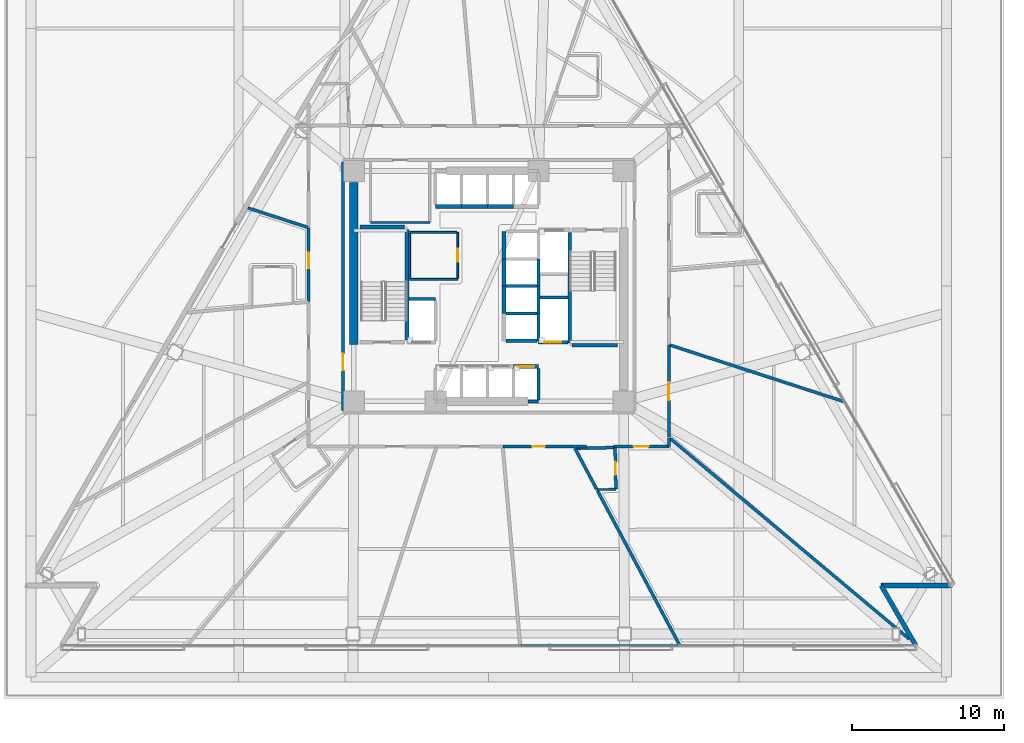
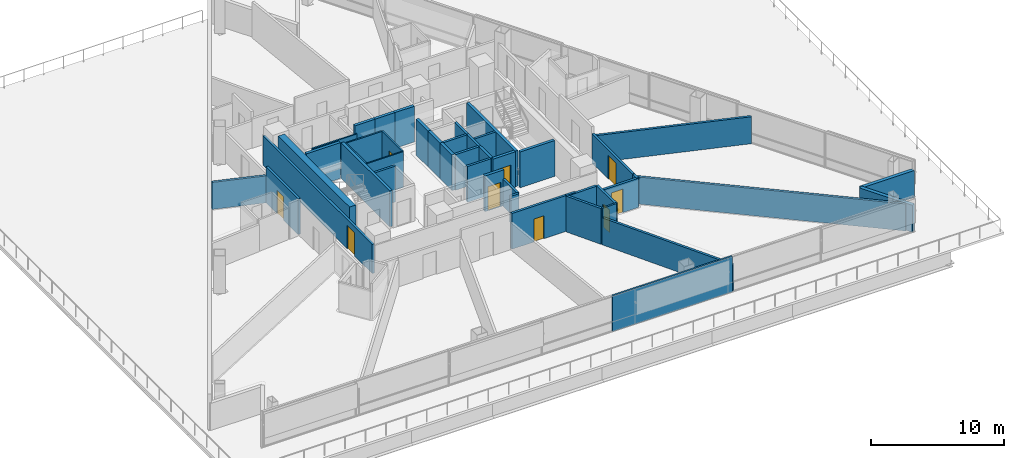
# One storey, part 10 of 19: 46 walls, 9 doors, 9 openings.
"""IFC4 building model written with IfcOpenShell, lengths in metres."""

from ifc_helpers import new_model, si_unit, direction, frame, frame_2d, origin, place, context, subcontext, project, spatial, rectangle, extrude, material, layer, layer_set, type_object, element, fill, save


model = new_model("IFC4")

# Units and contexts
model_context = context("Model", 3, precision=1e-05, world=origin(), true_north=direction((0.0, 1.0)))
body_context = subcontext(model_context, "Body", "Model", "MODEL_VIEW")
ifc_project = project(units=[si_unit("LENGTHUNIT", "METRE"), si_unit("AREAUNIT", "SQUARE_METRE"), si_unit("VOLUMEUNIT", "CUBIC_METRE"), si_unit("PLANEANGLEUNIT", "RADIAN"), si_unit("MASSUNIT", "GRAM", prefix="KILO")], contexts=[model_context])

# Site, building, storey
site_placement = place(None, origin())
site = spatial("IfcSite", under=ifc_project, at=site_placement, CompositionType="ELEMENT")
building_placement = place(site_placement, origin())
building = spatial("IfcBuilding", under=site, at=building_placement, Name="Tharavind Bronze Gate", CompositionType="ELEMENT")
storey_placement = place(building_placement, frame((0.0, 0.0, 31.800048828125)))
storey = spatial("IfcBuildingStorey", under=building, at=storey_placement, Name="L06", CompositionType="ELEMENT", Elevation=31.800048828125)

# Walls
ifc_material_1 = material(Name="Concrete C40/50", Category="concrete")
ifc_layer_1 = layer(ifc_material_1, 0.300048828125)
ifc_layer_set_1 = layer_set([ifc_layer_1], Name="Concrete C40/50")
wall_type_1 = type_object("IfcWallType", Name="EXTERIOR SPANDREL WALL 300", PredefinedType="STANDARD", material=ifc_layer_set_1)
wall_1_placement = place(storey_placement, frame((28.17578125, -23.699951171875, 0.0), z_axis=(0.0, 0.0, 1.0), x_axis=(-0.500014431597, 0.866017071537, 0.0)))
element("IfcWall", 1, at=wall_1_placement, inside=storey, type_object=wall_type_1, Name="L06 notch cheek wall 3A", PredefinedType="STANDARD", context=body_context, shape_type="SweptSolid", body=[
    extrude(rectangle(XDim=4.559814453125, YDim=0.300048828125, at=frame_2d((2.27978515625, 0.0))), origin(), (0.0, 0.0, 1.0), 2.469970703125),
])
wall_2_placement = place(storey_placement, frame((25.895751953125, -19.7509765625, 0.0), z_axis=(0.0, 0.0, 1.0), x_axis=(1.0, 0.0, 0.0)))
element("IfcWall", 2, at=wall_2_placement, inside=storey, type_object=wall_type_1, Name="L06 notch cheek wall 3B", PredefinedType="STANDARD", context=body_context, shape_type="SweptSolid", body=[
    extrude(rectangle(XDim=4.56005859375, YDim=0.300048828125, at=frame_2d((2.280029296875, 0.0))), origin(), (0.0, 0.0, 1.0), 2.469970703125),
])

# Wall, opening, door
ifc_material_2 = material(Name="Aerated Concrete Block", Category="concrete")
ifc_layer_2 = layer(ifc_material_2, 0.199951171875)
ifc_layer_set_2 = layer_set([ifc_layer_2], Name="Aerated Concrete Block")
wall_type_2 = type_object("IfcWallType", Name="FIRE RATED PARTITION 200", PredefinedType="PARTITIONING", material=ifc_layer_set_2)
wall_3_placement = place(storey_placement, frame((-9.6201171875, 8.199951171875, 0.0), z_axis=(0.0, 0.0, 1.0), x_axis=(0.0, -1.0, 0.0)))
wall_3 = element("IfcWall", 3, at=wall_3_placement, inside=storey, type_object=wall_type_2, Name="L06 west core corridor wall", PredefinedType="PARTITIONING", context=body_context, shape_type="SweptSolid", body=[
    extrude(rectangle(XDim=16.39990234375, YDim=0.199951171875, at=frame_2d((8.199951171875, 0.0))), origin(), (0.0, 0.0, 1.0), 2.669921875),
])
opening_1_placement = place(wall_3_placement, frame((12.64990234375, 0.0, 0.0)))
opening_1 = element("IfcOpeningElement", 4, at=opening_1_placement, cuts=wall_3, Name="Opening ID01", PredefinedType="OPENING", context=body_context, shape_type="SweptSolid", body=[
    extrude(rectangle(XDim=1.10009765625, YDim=2.14990234375, at=frame_2d((0.550048828125, 1.074951171875))), frame((0.0, 0.11009765625, 0.0), z_axis=(0.0, -1.0, 0.0), x_axis=(1.0, 0.0, 0.0)), (0.0, 0.0, 1.0), 0.219951171875),
])
ifc_material_3 = material(Name="Fire-Rated Steel", Category="steel")
door_type_1 = type_object("IfcDoorType", Name="STAIR CORE FIRE DOOR 1100X2150", OperationType="SINGLE_SWING_LEFT", PredefinedType="DOOR", material=ifc_material_3)
door_1_placement = place(opening_1_placement, frame((1.10009765625, 0.0, 0.0), z_axis=(0.0, 0.0, 1.0), x_axis=(-1.0, 0.0, 0.0)))
door_1 = element("IfcDoor", 5, at=door_1_placement, inside=storey, type_object=door_type_1, Name="L06 south west stair lobby fire door", OperationType="SINGLE_SWING_LEFT", OverallHeight=2.14990234375, OverallWidth=1.10009765625, PredefinedType="DOOR", context=body_context, shape_type="SweptSolid", body=[
    extrude(rectangle(XDim=1.10009765625, YDim=2.14990234375, at=frame_2d((0.550048828125, 1.074951171875))), frame((0.0, 0.02490234375, 0.0), z_axis=(0.0, -1.0, 0.0), x_axis=(1.0, 0.0, 0.0)), (0.0, 0.0, 1.0), 0.050048828125),
])
fill(opening_1, door_1)

wall_4_placement = place(storey_placement, frame((8.3388671875, -10.648681640625, 0.0), z_axis=(0.0, 0.0, 1.0), x_axis=(0.019353504647, -0.999812703389, 0.0)))
wall_4 = element("IfcWall", 6, at=wall_4_placement, inside=storey, type_object=wall_type_2, Name="L06 En-Suite Bathroom partition", PredefinedType="PARTITIONING", context=body_context, shape_type="SweptSolid", body=[
    extrude(rectangle(XDim=2.75, YDim=0.199951171875, at=frame_2d((1.375, 0.0))), origin(), (0.0, 0.0, 1.0), 3.27490234375),
])
opening_2_placement = place(wall_4_placement, frame((0.949951171875, 0.0, 0.0)))
opening_2 = element("IfcOpeningElement", 7, at=opening_2_placement, cuts=wall_4, Name="Opening ID06", PredefinedType="OPENING", context=body_context, shape_type="SweptSolid", body=[
    extrude(rectangle(XDim=0.85009765625, YDim=2.10009765625, at=frame_2d((0.425048828125, 1.050048828125))), frame((0.0, 0.11009765625, 0.0), z_axis=(0.0, -1.0, 0.0), x_axis=(1.0, 0.0, 0.0)), (0.0, 0.0, 1.0), 0.219951171875),
])
ifc_material_4 = material(Name="Moisture-Resistant Timber", Category="wood")
door_type_2 = type_object("IfcDoorType", Name="BATHROOM PRIVACY DOOR 850X2100", OperationType="SINGLE_SWING_RIGHT", PredefinedType="DOOR", material=ifc_material_4)
door_2_placement = place(opening_2_placement, origin())
door_2 = element("IfcDoor", 8, at=door_2_placement, inside=storey, type_object=door_type_2, Name="L06 En-Suite Bathroom door", OperationType="SINGLE_SWING_RIGHT", OverallHeight=2.10009765625, OverallWidth=0.85009765625, PredefinedType="DOOR", context=body_context, shape_type="SweptSolid", body=[
    extrude(rectangle(XDim=0.85009765625, YDim=2.10009765625, at=frame_2d((0.425048828125, 1.050048828125))), frame((0.0, 0.02490234375, 0.0), z_axis=(0.0, -1.0, 0.0), x_axis=(1.0, 0.0, 0.0)), (0.0, 0.0, 1.0), 0.050048828125),
])
fill(opening_2, door_2)

# Walls
wall_5_placement = place(storey_placement, frame((7.13671875, -13.422607421875, 0.0), z_axis=(0.0, 0.0, 1.0), x_axis=(-0.46943307166, 0.882968057877, 0.0)))
element("IfcWall", 9, at=wall_5_placement, inside=storey, type_object=wall_type_2, Name="L06 En-Suite Bathroom partition", PredefinedType="PARTITIONING", context=body_context, shape_type="SweptSolid", body=[
    extrude(rectangle(XDim=3.08349609375, YDim=0.199951171875, at=frame_2d((1.541748046875, 0.0))), origin(), (0.0, 0.0, 1.0), 3.27490234375),
])
wall_6_placement = place(storey_placement, frame((5.806884765625, -10.69775390625, 0.0), z_axis=(0.0, 0.0, 1.0), x_axis=(0.999811590966, 0.019410887945, 0.0)))
element("IfcWall", 10, at=wall_6_placement, inside=storey, type_object=wall_type_2, Name="L06 En-Suite Bathroom partition", PredefinedType="PARTITIONING", context=body_context, shape_type="SweptSolid", body=[
    extrude(rectangle(XDim=2.427490234375, YDim=0.199951171875, at=frame_2d((1.2138671875, 0.0))), origin(), (0.0, 0.0, 1.0), 3.27490234375),
])

# Wall, opening, door
wall_7_placement = place(storey_placement, frame((0.952880859375, -10.580078125, 0.0), z_axis=(0.0, 0.0, 1.0), x_axis=(1.0, 0.0, 0.0)))
wall_7 = element("IfcWall", 11, at=wall_7_placement, inside=storey, type_object=wall_type_2, Name="L06 Public Restrooms Block partition", PredefinedType="PARTITIONING", context=body_context, shape_type="SweptSolid", body=[
    extrude(rectangle(XDim=4.65771484375, YDim=0.199951171875, at=frame_2d((2.328857421875, 0.0))), origin(), (0.0, 0.0, 1.0), 3.27490234375),
])
opening_3_placement = place(wall_7_placement, frame((1.904052734375, 0.0, 0.0)))
opening_3 = element("IfcOpeningElement", 12, at=opening_3_placement, cuts=wall_7, Name="Opening ID06", PredefinedType="OPENING", context=body_context, shape_type="SweptSolid", body=[
    extrude(rectangle(XDim=0.85009765625, YDim=2.10009765625, at=frame_2d((0.425048828125, 1.050048828125))), frame((0.0, 0.11009765625, 0.0), z_axis=(0.0, -1.0, 0.0), x_axis=(1.0, 0.0, 0.0)), (0.0, 0.0, 1.0), 0.219951171875),
])
door_3_placement = place(opening_3_placement, origin())
door_3 = element("IfcDoor", 13, at=door_3_placement, inside=storey, type_object=door_type_2, Name="L06 Public Restrooms Block door", OperationType="SINGLE_SWING_RIGHT", OverallHeight=2.10009765625, OverallWidth=0.85009765625, PredefinedType="DOOR", context=body_context, shape_type="SweptSolid", body=[
    extrude(rectangle(XDim=0.85009765625, YDim=2.10009765625, at=frame_2d((0.425048828125, 1.050048828125))), frame((0.0, 0.02490234375, 0.0), z_axis=(0.0, -1.0, 0.0), x_axis=(1.0, 0.0, 0.0)), (0.0, 0.0, 1.0), 0.050048828125),
])
fill(opening_3, door_3)

# Walls
wall_8_placement = place(storey_placement, frame((7.178955078125, -13.501708984375, 0.0), z_axis=(0.0, 0.0, 1.0), x_axis=(0.469478708188, -0.882943793544, 0.0)))
element("IfcWall", 14, at=wall_8_placement, inside=storey, type_object=wall_type_2, Name="L06 Public Restrooms Block partition", PredefinedType="PARTITIONING", context=body_context, shape_type="SweptSolid", body=[
    extrude(rectangle(XDim=11.55029296875, YDim=0.199951171875, at=frame_2d((5.775146484375, 0.0))), origin(), (0.0, 0.0, 1.0), 2.469970703125),
])
wall_9_placement = place(storey_placement, frame((-11.91259765625, 3.87060546875, 0.0), z_axis=(0.0, 0.0, 1.0), x_axis=(-0.951048216474, 0.309042537431, 0.0)))
element("IfcWall", 15, at=wall_9_placement, inside=storey, type_object=wall_type_2, Name="L06 Hotel Guest Lounge partition", PredefinedType="PARTITIONING", context=body_context, shape_type="SweptSolid", body=[
    extrude(rectangle(XDim=4.1845703125, YDim=0.199951171875, at=frame_2d((2.09228515625, 0.0))), origin(), (0.0, 0.0, 1.0), 2.469970703125),
])

# Wall, opening, door
wall_10_placement = place(storey_placement, frame((-11.8798828125, 3.841796875, 0.0), z_axis=(0.0, 0.0, 1.0), x_axis=(0.0, -1.0, 0.0)))
wall_10 = element("IfcWall", 16, at=wall_10_placement, inside=storey, type_object=wall_type_2, Name="L06 Hotel Deluxe Room partition", PredefinedType="PARTITIONING", context=body_context, shape_type="SweptSolid", body=[
    extrude(rectangle(XDim=4.8583984375, YDim=0.199951171875, at=frame_2d((2.42919921875, 0.0))), origin(), (0.0, 0.0, 1.0), 3.27490234375),
])
opening_4_placement = place(wall_10_placement, frame((1.64892578125, 0.0, 0.0)))
opening_4 = element("IfcOpeningElement", 17, at=opening_4_placement, cuts=wall_10, Name="Opening ID03", PredefinedType="OPENING", context=body_context, shape_type="SweptSolid", body=[
    extrude(rectangle(XDim=1.0, YDim=2.14990234375, at=frame_2d((0.5, 1.074951171875))), frame((0.0, 0.11009765625, 0.0), z_axis=(0.0, -1.0, 0.0), x_axis=(1.0, 0.0, 0.0)), (0.0, 0.0, 1.0), 0.219951171875),
])
ifc_material_5 = material(Name="Solid Timber Veneer", Category="wood")
door_type_3 = type_object("IfcDoorType", Name="HOTEL SUITE ENTRANCE DOOR 1000X2150", OperationType="SINGLE_SWING_LEFT", PredefinedType="DOOR", material=ifc_material_5)
door_4_placement = place(opening_4_placement, origin())
door_4 = element("IfcDoor", 18, at=door_4_placement, inside=storey, type_object=door_type_3, Name="L06 Hotel Deluxe Room door", OperationType="SINGLE_SWING_LEFT", OverallHeight=2.14990234375, OverallWidth=1.0, PredefinedType="DOOR", context=body_context, shape_type="SweptSolid", body=[
    extrude(rectangle(XDim=1.0, YDim=2.14990234375, at=frame_2d((0.5, 1.074951171875))), frame((0.0, 0.02490234375, 0.0), z_axis=(0.0, -1.0, 0.0), x_axis=(1.0, 0.0, 0.0)), (0.0, 0.0, 1.0), 0.050048828125),
])
fill(opening_4, door_4)

# Walls
wall_11_placement = place(storey_placement, frame((11.8798828125, -10.579345703125, 0.0), z_axis=(0.0, 0.0, 1.0), x_axis=(0.0, 1.0, 0.0)))
element("IfcWall", 19, at=wall_11_placement, inside=storey, type_object=wall_type_2, Name="L06 Deluxe Hotel Suite partition", PredefinedType="PARTITIONING", context=body_context, shape_type="SweptSolid", body=[
    extrude(rectangle(XDim=0.55712890625, YDim=0.199951171875, at=frame_2d((0.278564453125, 0.0))), origin(), (0.0, 0.0, 1.0), 2.669921875),
])
wall_12_placement = place(storey_placement, frame((11.985107421875, -10.056640625, 0.0), z_axis=(0.0, 0.0, 1.0), x_axis=(0.766043557541, -0.642788665076, 0.0)))
element("IfcWall", 20, at=wall_12_placement, inside=storey, type_object=wall_type_2, Name="L06 Deluxe Hotel Suite partition", PredefinedType="PARTITIONING", context=body_context, shape_type="SweptSolid", body=[
    extrude(rectangle(XDim=20.59814453125, YDim=0.199951171875, at=frame_2d((10.299072265625, 0.0))), origin(), (0.0, 0.0, 1.0), 2.469970703125),
])
wall_13_placement = place(storey_placement, frame((5.6669921875, -10.580078125, 0.0), z_axis=(0.0, 0.0, 1.0), x_axis=(1.0, 0.0, 0.0)))
element("IfcWall", 21, at=wall_13_placement, inside=storey, type_object=wall_type_2, Name="L06 Deluxe Hotel Suite partition", PredefinedType="PARTITIONING", context=body_context, shape_type="SweptSolid", body=[
    extrude(rectangle(XDim=0.793212890625, YDim=0.199951171875, at=frame_2d((0.396484375, 0.0))), origin(), (0.0, 0.0, 1.0), 3.27490234375),
])

# Wall, opening, door
wall_14_placement = place(storey_placement, frame((8.232421875, -10.580078125, 0.0), z_axis=(0.0, 0.0, 1.0), x_axis=(1.0, 0.0, 0.0)))
wall_14 = element("IfcWall", 22, at=wall_14_placement, inside=storey, type_object=wall_type_2, Name="L06 Deluxe Hotel Suite partition", PredefinedType="PARTITIONING", context=body_context, shape_type="SweptSolid", body=[
    extrude(rectangle(XDim=3.64697265625, YDim=0.199951171875, at=frame_2d((1.823486328125, 0.0))), origin(), (0.0, 0.0, 1.0), 2.669921875),
])
opening_5_placement = place(wall_14_placement, frame((1.323974609375, 0.0, 0.0)))
opening_5 = element("IfcOpeningElement", 23, at=opening_5_placement, cuts=wall_14, Name="Opening ID03", PredefinedType="OPENING", context=body_context, shape_type="SweptSolid", body=[
    extrude(rectangle(XDim=1.0, YDim=2.14990234375, at=frame_2d((0.5, 1.074951171875))), frame((0.0, 0.11009765625, 0.0), z_axis=(0.0, -1.0, 0.0), x_axis=(1.0, 0.0, 0.0)), (0.0, 0.0, 1.0), 0.219951171875),
])
door_5_placement = place(opening_5_placement, origin())
door_5 = element("IfcDoor", 24, at=door_5_placement, inside=storey, type_object=door_type_3, Name="L06 Deluxe Hotel Suite door", OperationType="SINGLE_SWING_LEFT", OverallHeight=2.14990234375, OverallWidth=1.0, PredefinedType="DOOR", context=body_context, shape_type="SweptSolid", body=[
    extrude(rectangle(XDim=1.0, YDim=2.14990234375, at=frame_2d((0.5, 1.074951171875))), frame((0.0, 0.02490234375, 0.0), z_axis=(0.0, -1.0, 0.0), x_axis=(1.0, 0.0, 0.0)), (0.0, 0.0, 1.0), 0.050048828125),
])
fill(opening_5, door_5)

wall_15_placement = place(storey_placement, frame((11.8798828125, -9.956787109375, 0.0), z_axis=(0.0, 0.0, 1.0), x_axis=(0.0, 1.0, 0.0)))
wall_15 = element("IfcWall", 25, at=wall_15_placement, inside=storey, type_object=wall_type_2, Name="L06 Hotel Guest Lounge partition", PredefinedType="PARTITIONING", context=body_context, shape_type="SweptSolid", body=[
    extrude(rectangle(XDim=6.062255859375, YDim=0.199951171875, at=frame_2d((3.03125, 0.0))), origin(), (0.0, 0.0, 1.0), 2.669921875),
])
opening_6_placement = place(wall_15_placement, frame((2.430908203125, 0.0, 0.0)))
opening_6 = element("IfcOpeningElement", 26, at=opening_6_placement, cuts=wall_15, Name="Opening ID05", PredefinedType="OPENING", context=body_context, shape_type="SweptSolid", body=[
    extrude(rectangle(XDim=1.199951171875, YDim=2.14990234375, at=frame_2d((0.60009765625, 1.074951171875))), frame((0.0, 0.11009765625, 0.0), z_axis=(0.0, -1.0, 0.0), x_axis=(1.0, 0.0, 0.0)), (0.0, 0.0, 1.0), 0.219951171875),
])
ifc_material_6 = material(Name="Acoustic Laminated Glass", Category="glass")
door_type_4 = type_object("IfcDoorType", Name="MEETING ROOM GLAZED DOOR 1200X2150", OperationType="SINGLE_SWING_LEFT", PredefinedType="DOOR", material=ifc_material_6)
door_6_placement = place(opening_6_placement, origin())
door_6 = element("IfcDoor", 27, at=door_6_placement, inside=storey, type_object=door_type_4, Name="L06 Hotel Guest Lounge door", OperationType="SINGLE_SWING_LEFT", OverallHeight=2.14990234375, OverallWidth=1.199951171875, PredefinedType="DOOR", context=body_context, shape_type="SweptSolid", body=[
    extrude(rectangle(XDim=1.199951171875, YDim=2.14990234375, at=frame_2d((0.60009765625, 1.074951171875))), frame((0.0, 0.02490234375, 0.0), z_axis=(0.0, -1.0, 0.0), x_axis=(1.0, 0.0, 0.0)), (0.0, 0.0, 1.0), 0.050048828125),
])
fill(opening_6, door_6)

# Walls
wall_16_placement = place(storey_placement, frame((11.91259765625, -3.87060546875, 0.0), z_axis=(0.0, 0.0, 1.0), x_axis=(0.95105241731, -0.30902960947, 0.0)))
element("IfcWall", 28, at=wall_16_placement, inside=storey, type_object=wall_type_2, Name="L06 Hotel Guest Lounge partition", PredefinedType="PARTITIONING", context=body_context, shape_type="SweptSolid", body=[
    extrude(rectangle(XDim=12.123779296875, YDim=0.199951171875, at=frame_2d((6.06201171875, 0.0))), origin(), (0.0, 0.0, 1.0), 2.469970703125),
])
ifc_material_7 = material(Name="Metal Stud Gypsum Partition", Category="gypsum")
ifc_layer_3 = layer(ifc_material_7, 0.1201171875)
ifc_layer_set_3 = layer_set([ifc_layer_3], Name="Metal Stud Gypsum Partition")
wall_type_3 = type_object("IfcWallType", Name="INTERIOR PARTITION WALL 120", PredefinedType="PARTITIONING", material=ifc_layer_set_3)
wall_17_placement = place(storey_placement, frame((-5.219970703125, 0.449951171875, 0.0), z_axis=(0.0, 0.0, 1.0), x_axis=(1.0, 0.0, 0.0)))
element("IfcWall", 29, at=wall_17_placement, inside=storey, type_object=wall_type_3, Name="L06 Electrical & Telecom Store partition 1", PredefinedType="PARTITIONING", context=body_context, shape_type="SweptSolid", body=[
    extrude(rectangle(XDim=3.169921875, YDim=0.1201171875, at=frame_2d((1.5849609375, 0.0))), origin(), (0.0, 0.0, 1.0), 3.27490234375),
])

# Wall, opening, door
wall_18_placement = place(storey_placement, frame((-2.050048828125, 0.514892578125, 0.0), z_axis=(0.0, 0.0, 1.0), x_axis=(0.0, 1.0, 0.0)))
wall_18 = element("IfcWall", 30, at=wall_18_placement, inside=storey, type_object=wall_type_3, Name="L06 Electrical & Telecom Store partition 2", PredefinedType="PARTITIONING", context=body_context, shape_type="SweptSolid", body=[
    extrude(rectangle(XDim=3.03515625, YDim=0.1201171875, at=frame_2d((1.517578125, 0.0))), origin(), (0.0, 0.0, 1.0), 3.27490234375),
])
opening_7_placement = place(wall_18_placement, frame((1.092041015625, 0.0, 0.0)))
opening_7 = element("IfcOpeningElement", 31, at=opening_7_placement, cuts=wall_18, Name="Opening ID06", PredefinedType="OPENING", context=body_context, shape_type="SweptSolid", body=[
    extrude(rectangle(XDim=0.85009765625, YDim=2.10009765625, at=frame_2d((0.425048828125, 1.050048828125))), frame((0.0, 0.07005859375, 0.0), z_axis=(0.0, -1.0, 0.0), x_axis=(1.0, 0.0, 0.0)), (0.0, 0.0, 1.0), 0.1401171875),
])
door_7_placement = place(opening_7_placement, frame((0.85009765625, 0.0, 0.0), z_axis=(0.0, 0.0, 1.0), x_axis=(-1.0, 0.0, 0.0)))
door_7 = element("IfcDoor", 32, at=door_7_placement, inside=storey, type_object=door_type_2, Name="L06 Electrical & Telecom Store door", OperationType="SINGLE_SWING_RIGHT", OverallHeight=2.10009765625, OverallWidth=0.85009765625, PredefinedType="DOOR", context=body_context, shape_type="SweptSolid", body=[
    extrude(rectangle(XDim=0.85009765625, YDim=2.10009765625, at=frame_2d((0.425048828125, 1.050048828125))), frame((0.0, 0.02490234375, 0.0), z_axis=(0.0, -1.0, 0.0), x_axis=(1.0, 0.0, 0.0)), (0.0, 0.0, 1.0), 0.050048828125),
])
fill(opening_7, door_7)

# Walls
wall_19_placement = place(storey_placement, frame((-2.114990234375, 3.550048828125, 0.0), z_axis=(0.0, 0.0, 1.0), x_axis=(-1.0, 0.0, 0.0)))
element("IfcWall", 33, at=wall_19_placement, inside=storey, type_object=wall_type_3, Name="L06 Electrical & Telecom Store partition 3", PredefinedType="PARTITIONING", context=body_context, shape_type="SweptSolid", body=[
    extrude(rectangle(XDim=3.10498046875, YDim=0.1201171875, at=frame_2d((1.552490234375, 0.0))), origin(), (0.0, 0.0, 1.0), 3.27490234375),
])
wall_20_placement = place(storey_placement, frame((-5.219970703125, 3.485107421875, 0.0), z_axis=(0.0, 0.0, 1.0), x_axis=(0.0, -1.0, 0.0)))
element("IfcWall", 34, at=wall_20_placement, inside=storey, type_object=wall_type_3, Name="L06 Electrical & Telecom Store partition 4", PredefinedType="PARTITIONING", context=body_context, shape_type="SweptSolid", body=[
    extrude(rectangle(XDim=2.97021484375, YDim=0.1201171875, at=frame_2d((1.485107421875, 0.0))), origin(), (0.0, 0.0, 1.0), 3.27490234375),
])
wall_21_placement = place(storey_placement, frame((-7.800048828125, 4.199951171875, 0.0), z_axis=(0.0, 0.0, 1.0), x_axis=(1.0, 0.0, 0.0)))
element("IfcWall", 35, at=wall_21_placement, inside=storey, type_object=wall_type_3, Name="L06 Electrical Switch Room partition 1", PredefinedType="PARTITIONING", context=body_context, shape_type="SweptSolid", body=[
    extrude(rectangle(XDim=3.900146484375, YDim=0.1201171875, at=frame_2d((1.9501953125, 0.0))), origin(), (0.0, 0.0, 1.0), 3.27490234375),
])
ifc_material_8 = material(Name="Twin Stud Acoustic Gypsum", Category="gypsum")
ifc_layer_4 = layer(ifc_material_8, 0.14990234375)
ifc_layer_set_4 = layer_set([ifc_layer_4], Name="Twin Stud Acoustic Gypsum")
wall_type_4 = type_object("IfcWallType", Name="INTERIOR PARTITION WALL 150", PredefinedType="PARTITIONING", material=ifc_layer_set_4)
wall_22_placement = place(storey_placement, frame((8.39208984375, -13.398193359375, 0.0), z_axis=(0.0, 0.0, 1.0), x_axis=(-0.999810947385, -0.01944400909, 0.0)))
element("IfcWall", 36, at=wall_22_placement, inside=storey, type_object=wall_type_4, Name="L06 En-Suite Bathroom partition", PredefinedType="PARTITIONING", context=body_context, shape_type="SweptSolid", body=[
    extrude(rectangle(XDim=1.255615234375, YDim=0.14990234375, at=frame_2d((0.6279296875, 0.0))), origin(), (0.0, 0.0, 1.0), 3.27490234375),
])
wall_23_placement = place(storey_placement, frame((12.482666015625, -23.699951171875, 0.0), z_axis=(0.0, 0.0, 1.0), x_axis=(-1.0, 0.0, 0.0)))
element("IfcWall", 37, at=wall_23_placement, inside=storey, type_object=wall_type_4, Name="L06 Public Restrooms Block partition", PredefinedType="PARTITIONING", context=body_context, shape_type="SweptSolid", body=[
    extrude(rectangle(XDim=10.38623046875, YDim=0.14990234375, at=frame_2d((5.193115234375, 0.0))), origin(), (0.0, 0.0, 1.0), 3.27490234375),
])
ifc_material_9 = material(Name="Concrete C50/60", Category="concrete")
ifc_layer_5 = layer(ifc_material_9, 0.25)
ifc_layer_set_5 = layer_set([ifc_layer_5], Name="Concrete C50/60")
wall_type_5 = type_object("IfcWallType", Name="RC CORE SHEAR WALL 250", PredefinedType="SHEAR", material=ifc_layer_set_5)
wall_24_placement = place(storey_placement, frame((-5.39990234375, -3.550048828125, 0.0), z_axis=(0.0, 0.0, 1.0), x_axis=(0.0, 1.0, 0.0)))
element("IfcWall", 38, at=wall_24_placement, inside=storey, type_object=wall_type_5, Name="L06 ST1 shaft east wall", PredefinedType="SHEAR", context=body_context, shape_type="SweptSolid", body=[
    extrude(rectangle(XDim=7.300048828125, YDim=0.25, at=frame_2d((3.64990234375, 0.0))), origin(), (0.0, 0.0, 1.0), 3.27490234375),
])
wall_25_placement = place(storey_placement, frame((-8.5, 3.89990234375, 0.0), z_axis=(0.0, 0.0, 1.0), x_axis=(1.0, 0.0, 0.0)))
element("IfcWall", 39, at=wall_25_placement, inside=storey, type_object=wall_type_5, Name="L06 ST1 shaft north wall", PredefinedType="SHEAR", context=body_context, shape_type="SweptSolid", body=[
    extrude(rectangle(XDim=2.949951171875, YDim=0.25, at=frame_2d((1.47509765625, 0.0))), origin(), (0.0, 0.0, 1.0), 3.27490234375),
])
wall_26_placement = place(storey_placement, frame((5.35009765625, -3.75, 0.0), z_axis=(0.0, 0.0, 1.0), x_axis=(0.0, 1.0, 0.0)))
element("IfcWall", 40, at=wall_26_placement, inside=storey, type_object=wall_type_5, Name="L06 ST2 shaft west wall", PredefinedType="SHEAR", context=body_context, shape_type="SweptSolid", body=[
    extrude(rectangle(XDim=7.300048828125, YDim=0.25, at=frame_2d((3.64990234375, 0.0))), origin(), (0.0, 0.0, 1.0), 3.27490234375),
])
wall_27_placement = place(storey_placement, frame((5.5, -3.89990234375, 0.0), z_axis=(0.0, 0.0, 1.0), x_axis=(1.0, 0.0, 0.0)))
element("IfcWall", 41, at=wall_27_placement, inside=storey, type_object=wall_type_5, Name="L06 ST2 shaft south wall", PredefinedType="SHEAR", context=body_context, shape_type="SweptSolid", body=[
    extrude(rectangle(XDim=3.0, YDim=0.25, at=frame_2d((1.5, 0.0))), origin(), (0.0, 0.0, 1.0), 3.27490234375),
])

# Wall, opening, door
wall_28_placement = place(storey_placement, frame((1.637451171875, -5.300048828125, 0.0), z_axis=(0.0, 0.0, 1.0), x_axis=(1.0, 0.0, 0.0)))
wall_28 = element("IfcWall", 42, at=wall_28_placement, inside=storey, type_object=wall_type_5, Name="L06 lift PL4 shaft front wall", PredefinedType="SHEAR", context=body_context, shape_type="SweptSolid", body=[
    extrude(rectangle(XDim=1.642578125, YDim=0.25, at=frame_2d((0.8212890625, 0.0))), origin(), (0.0, 0.0, 1.0), 3.27490234375),
])
opening_8_placement = place(wall_28_placement, frame((0.27099609375, 0.0, 0.0)))
opening_8 = element("IfcOpeningElement", 43, at=opening_8_placement, cuts=wall_28, Name="Opening LD01", PredefinedType="OPENING", context=body_context, shape_type="SweptSolid", body=[
    extrude(rectangle(XDim=1.10009765625, YDim=2.199951171875, at=frame_2d((0.550048828125, 1.10009765625))), frame((0.0, 0.135, 0.0), z_axis=(0.0, -1.0, 0.0), x_axis=(1.0, 0.0, 0.0)), (0.0, 0.0, 1.0), 0.27),
])
ifc_material_10 = material(Name="Brushed Bronze Stainless Steel", Category="steel")
door_type_5 = type_object("IfcDoorType", Name="LIFT LANDING SLIDING DOOR 1100X2200", OperationType="SLIDING_TO_LEFT", PredefinedType="DOOR", material=ifc_material_10)
door_8_placement = place(opening_8_placement, origin())
door_8 = element("IfcDoor", 44, at=door_8_placement, inside=storey, type_object=door_type_5, Name="L06 lift PL4 sliding landing door", OperationType="SLIDING_TO_LEFT", OverallHeight=2.199951171875, OverallWidth=1.10009765625, PredefinedType="DOOR", context=body_context, shape_type="SweptSolid", body=[
    extrude(rectangle(XDim=1.10009765625, YDim=2.199951171875, at=frame_2d((0.550048828125, 1.10009765625))), frame((0.0, 0.02490234375, 0.0), z_axis=(0.0, -1.0, 0.0), x_axis=(1.0, 0.0, 0.0)), (0.0, 0.0, 1.0), 0.050048828125),
])
fill(opening_8, door_8)

# Walls
wall_29_placement = place(storey_placement, frame((-3.5, 5.25, 0.0), z_axis=(0.0, 0.0, 1.0), x_axis=(1.0, 0.0, 0.0)))
element("IfcWall", 45, at=wall_29_placement, inside=storey, type_object=wall_type_5, Name="L06 lift PL5 shaft front wall", PredefinedType="SHEAR", context=body_context, shape_type="SweptSolid", body=[
    extrude(rectangle(XDim=1.71240234375, YDim=0.25, at=frame_2d((0.856201171875, 0.0))), origin(), (0.0, 0.0, 1.0), 3.27490234375),
])
wall_30_placement = place(storey_placement, frame((-1.78759765625, 5.25, 0.0), z_axis=(0.0, 0.0, 1.0), x_axis=(1.0, 0.0, 0.0)))
element("IfcWall", 46, at=wall_30_placement, inside=storey, type_object=wall_type_5, Name="L06 lift PL6 shaft front wall", PredefinedType="SHEAR", context=body_context, shape_type="SweptSolid", body=[
    extrude(rectangle(XDim=1.712646484375, YDim=0.25, at=frame_2d((0.8564453125, 0.0))), origin(), (0.0, 0.0, 1.0), 3.27490234375),
])
wall_31_placement = place(storey_placement, frame((-0.074951171875, 5.25, 0.0), z_axis=(0.0, 0.0, 1.0), x_axis=(1.0, 0.0, 0.0)))
element("IfcWall", 47, at=wall_31_placement, inside=storey, type_object=wall_type_5, Name="L06 lift PL7 shaft front wall", PredefinedType="SHEAR", context=body_context, shape_type="SweptSolid", body=[
    extrude(rectangle(XDim=1.71240234375, YDim=0.25, at=frame_2d((0.856201171875, 0.0))), origin(), (0.0, 0.0, 1.0), 3.27490234375),
])
for number, where, z_axis, x_axis, name in (
    (48, (1.0, -1.800048828125, 0.0), (0.0, 0.0, 1.0), (0.0, 1.0, 0.0), "L06 lift PL10 shaft front wall"),
    (49, (1.0, 0.0, 0.0), (0.0, 0.0, 1.0), (0.0, 1.0, 0.0), "L06 lift PL11 shaft front wall"),
    (50, (1.0, 1.800048828125, 0.0), (0.0, 0.0, 1.0), (0.0, 1.0, 0.0), "L06 lift PL12 shaft front wall"),
):
    element("IfcWall", number, at=place(storey_placement, frame(where, z_axis=z_axis, x_axis=x_axis)), inside=storey, type_object=wall_type_5, Name=name, PredefinedType="SHEAR", context=body_context, shape_type="SweptSolid", body=[
        extrude(rectangle(XDim=1.800048828125, YDim=0.25, at=frame_2d((0.89990234375, 0.0))), origin(), (0.0, 0.0, 1.0), 3.27490234375),
    ])

# Wall, opening, door
wall_32_placement = place(storey_placement, frame((3.280029296875, -3.699951171875, 0.0), z_axis=(0.0, 0.0, 1.0), x_axis=(1.0, 0.0, 0.0)))
wall_32 = element("IfcWall", 51, at=wall_32_placement, inside=storey, type_object=wall_type_5, Name="L06 lift SVL1 shaft front wall", PredefinedType="SHEAR", context=body_context, shape_type="SweptSolid", body=[
    extrude(rectangle(XDim=1.93994140625, YDim=0.25, at=frame_2d((0.969970703125, 0.0))), origin(), (0.0, 0.0, 1.0), 3.27490234375),
])
opening_9_placement = place(wall_32_placement, frame((0.419921875, 0.0, 0.0)))
opening_9 = element("IfcOpeningElement", 52, at=opening_9_placement, cuts=wall_32, Name="Opening LD01", PredefinedType="OPENING", context=body_context, shape_type="SweptSolid", body=[
    extrude(rectangle(XDim=1.10009765625, YDim=2.199951171875, at=frame_2d((0.550048828125, 1.10009765625))), frame((0.0, 0.135, 0.0), z_axis=(0.0, -1.0, 0.0), x_axis=(1.0, 0.0, 0.0)), (0.0, 0.0, 1.0), 0.27),
])
door_9_placement = place(opening_9_placement, origin())
door_9 = element("IfcDoor", 53, at=door_9_placement, inside=storey, type_object=door_type_5, Name="L06 lift SVL1 sliding landing door", OperationType="SLIDING_TO_LEFT", OverallHeight=2.199951171875, OverallWidth=1.10009765625, PredefinedType="DOOR", context=body_context, shape_type="SweptSolid", body=[
    extrude(rectangle(XDim=1.10009765625, YDim=2.199951171875, at=frame_2d((0.550048828125, 1.10009765625))), frame((0.0, 0.02490234375, 0.0), z_axis=(0.0, -1.0, 0.0), x_axis=(1.0, 0.0, 0.0)), (0.0, 0.0, 1.0), 0.050048828125),
])
fill(opening_9, door_9)

# Walls
ifc_material_11 = material(Name="Concrete C60/75", Category="concrete")
ifc_layer_6 = layer(ifc_material_11, 0.550048828125)
ifc_layer_set_6 = layer_set([ifc_layer_6], Name="Concrete C60/75")
wall_type_6 = type_object("IfcWallType", Name="RC CORE SHEAR WALL 550", PredefinedType="SHEAR", material=ifc_layer_set_6)
wall_33_placement = place(storey_placement, frame((-8.89990234375, -3.85009765625, 0.0), z_axis=(0.0, 0.0, 1.0), x_axis=(0.0, 1.0, 0.0)))
element("IfcWall", 54, at=wall_33_placement, inside=storey, type_object=wall_type_6, Name="L06 west core shear wall", PredefinedType="SHEAR", context=body_context, shape_type="SweptSolid", body=[
    extrude(rectangle(XDim=10.7001953125, YDim=0.550048828125, at=frame_2d((5.35009765625, 0.0))), origin(), (0.0, 0.0, 1.0), 3.27490234375),
])
ifc_layer_7 = layer(ifc_material_1, 0.199951171875)
ifc_layer_set_7 = layer_set([ifc_layer_7], Name="Concrete C40/50")
wall_type_7 = type_object("IfcWallType", Name="SHAFT ENCLOSURE WALL 200", PredefinedType="PARTITIONING", material=ifc_layer_set_7)
wall_34_placement = place(storey_placement, frame((2.580078125, -7.60009765625, 0.0), z_axis=(0.0, 0.0, 1.0), x_axis=(1.0, 0.0, 0.0)))
element("IfcWall", 55, at=wall_34_placement, inside=storey, type_object=wall_type_7, Name="L06 lift PL4 shaft S enclosure wall", PredefinedType="PARTITIONING", context=body_context, shape_type="SweptSolid", body=[
    extrude(rectangle(XDim=0.699951171875, YDim=0.199951171875, at=frame_2d((0.35009765625, 0.0))), origin(), (0.0, 0.0, 1.0), 2.469970703125),
])
wall_35_placement = place(storey_placement, frame((3.280029296875, -7.4951171875, 0.0), z_axis=(0.0, 0.0, 1.0), x_axis=(0.0, 1.0, 0.0)))
element("IfcWall", 56, at=wall_35_placement, inside=storey, type_object=wall_type_7, Name="L06 lift PL4 shaft E enclosure wall", PredefinedType="PARTITIONING", context=body_context, shape_type="SweptSolid", body=[
    extrude(rectangle(XDim=2.065185546875, YDim=0.199951171875, at=frame_2d((1.03271484375, 0.0))), origin(), (0.0, 0.0, 1.0), 2.469970703125),
])
wall_36_placement = place(storey_placement, frame((3.280029296875, -3.60009765625, 0.0), z_axis=(0.0, 0.0, 1.0), x_axis=(0.0, 1.0, 0.0)))
element("IfcWall", 57, at=wall_36_placement, inside=storey, type_object=wall_type_7, Name="L06 lift PL9 shaft E enclosure wall", PredefinedType="PARTITIONING", context=body_context, shape_type="SweptSolid", body=[
    extrude(rectangle(XDim=1.800048828125, YDim=0.199951171875, at=frame_2d((0.89990234375, 0.0))), origin(), (0.0, 0.0, 1.0), 3.27490234375),
])
for number, where, z_axis, x_axis, name in (
    (58, (1.1298828125, -3.60009765625, 0.0), (0.0, 0.0, 1.0), (1.0, 0.0, 0.0), "L06 lift PL9 shaft S enclosure wall"),
    (59, (1.1298828125, -1.800048828125, 0.0), (0.0, 0.0, 1.0), (1.0, 0.0, 0.0), "L06 lift PL9 shaft N enclosure wall"),
):
    element("IfcWall", number, at=place(storey_placement, frame(where, z_axis=z_axis, x_axis=x_axis)), inside=storey, type_object=wall_type_7, Name=name, PredefinedType="PARTITIONING", context=body_context, shape_type="SweptSolid", body=[
        extrude(rectangle(XDim=2.045166015625, YDim=0.199951171875, at=frame_2d((1.0224609375, 0.0))), origin(), (0.0, 0.0, 1.0), 3.27490234375),
    ])
wall_37_placement = place(storey_placement, frame((3.280029296875, -1.800048828125, 0.0), z_axis=(0.0, 0.0, 1.0), x_axis=(0.0, 1.0, 0.0)))
element("IfcWall", 60, at=wall_37_placement, inside=storey, type_object=wall_type_7, Name="L06 lift PL10 shaft E enclosure wall", PredefinedType="PARTITIONING", context=body_context, shape_type="SweptSolid", body=[
    extrude(rectangle(XDim=1.800048828125, YDim=0.199951171875, at=frame_2d((0.89990234375, 0.0))), origin(), (0.0, 0.0, 1.0), 3.27490234375),
])
wall_38_placement = place(storey_placement, frame((1.1298828125, 0.0, 0.0), z_axis=(0.0, 0.0, 1.0), x_axis=(1.0, 0.0, 0.0)))
element("IfcWall", 61, at=wall_38_placement, inside=storey, type_object=wall_type_7, Name="L06 lift PL10 shaft N enclosure wall", PredefinedType="PARTITIONING", context=body_context, shape_type="SweptSolid", body=[
    extrude(rectangle(XDim=2.045166015625, YDim=0.199951171875, at=frame_2d((1.0224609375, 0.0))), origin(), (0.0, 0.0, 1.0), 3.27490234375),
])
wall_39_placement = place(storey_placement, frame((3.280029296875, 0.0, 0.0), z_axis=(0.0, 0.0, 1.0), x_axis=(0.0, 1.0, 0.0)))
element("IfcWall", 62, at=wall_39_placement, inside=storey, type_object=wall_type_7, Name="L06 lift PL11 shaft E enclosure wall", PredefinedType="PARTITIONING", context=body_context, shape_type="SweptSolid", body=[
    extrude(rectangle(XDim=1.800048828125, YDim=0.199951171875, at=frame_2d((0.89990234375, 0.0))), origin(), (0.0, 0.0, 1.0), 3.27490234375),
])
wall_40_placement = place(storey_placement, frame((-5.27001953125, -0.85009765625, 0.0), z_axis=(0.0, 0.0, 1.0), x_axis=(1.0, 0.0, 0.0)))
element("IfcWall", 63, at=wall_40_placement, inside=storey, type_object=wall_type_7, Name="L06 lift FFL1 shaft N enclosure wall", PredefinedType="PARTITIONING", context=body_context, shape_type="SweptSolid", body=[
    extrude(rectangle(XDim=1.77001953125, YDim=0.199951171875, at=frame_2d((0.885009765625, 0.0))), origin(), (0.0, 0.0, 1.0), 3.27490234375),
])
wall_41_placement = place(storey_placement, frame((3.385009765625, -0.75, 0.0), z_axis=(0.0, 0.0, 1.0), x_axis=(1.0, 0.0, 0.0)))
element("IfcWall", 64, at=wall_41_placement, inside=storey, type_object=wall_type_7, Name="L06 lift SVL1 shaft N enclosure wall", PredefinedType="PARTITIONING", context=body_context, shape_type="SweptSolid", body=[
    extrude(rectangle(XDim=1.8349609375, YDim=0.199951171875, at=frame_2d((0.91748046875, 0.0))), origin(), (0.0, 0.0, 1.0), 3.27490234375),
])

save(model, "model.ifc")
